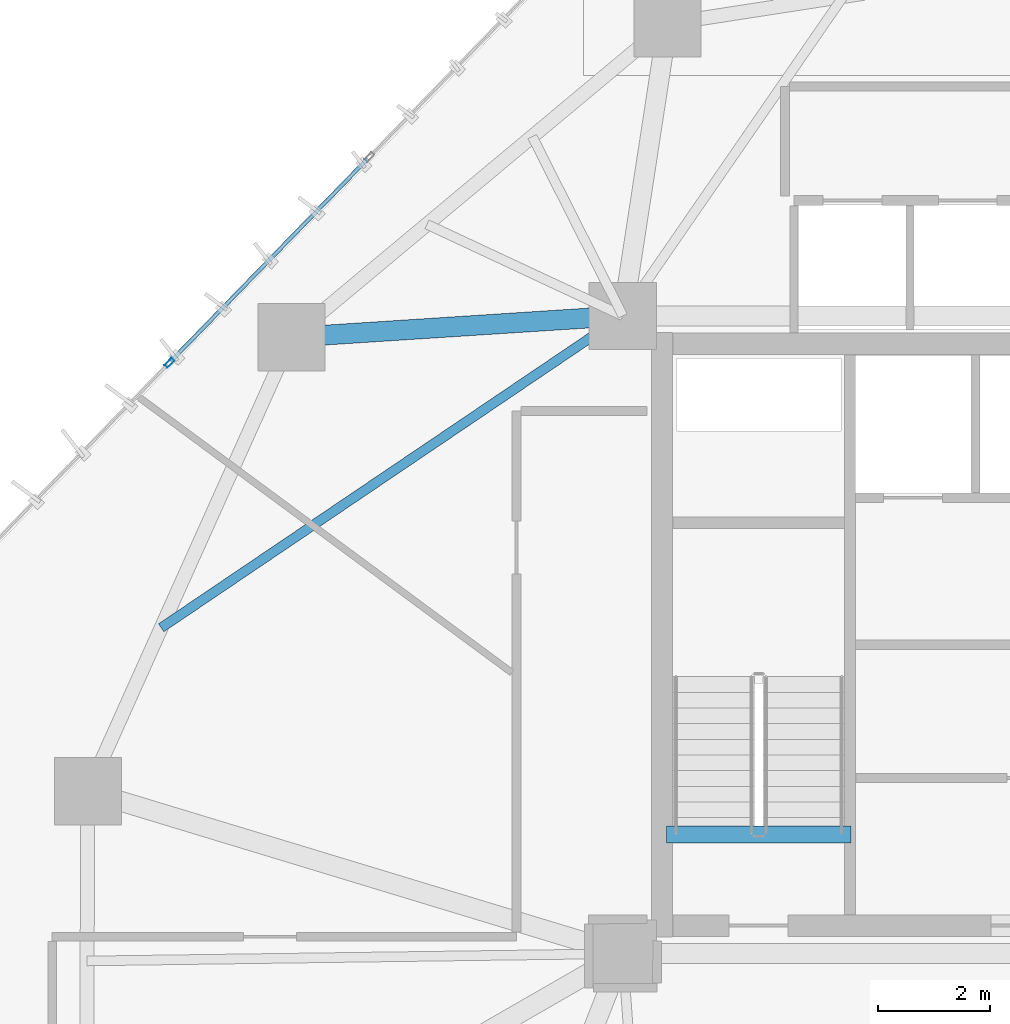
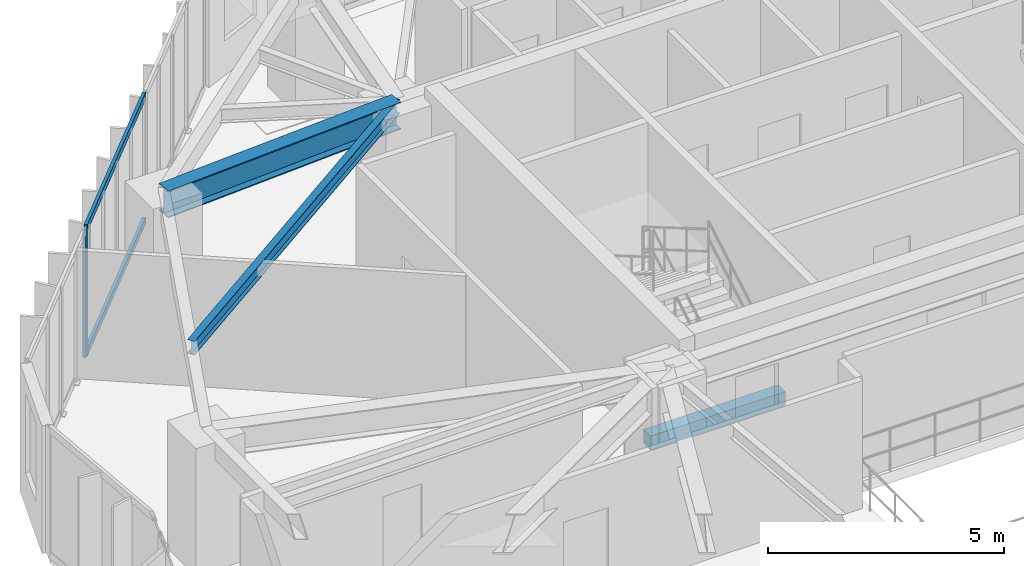
# One storey, part 9 of 23: 3 beams, 3 members, 1 element without a shape of its own.
"""IFC4 building model written with IfcOpenShell, lengths in metres."""

from ifc_helpers import new_model, si_unit, direction, frame, origin, origin_2d, place, context, subcontext, project, spatial, rectangle, hollow_rectangle, i_section, extrude, source, transform, mapped, material, layer, layer_set, material_profile, profile_set, type_object, type_shapes, element, aggregate, save


model = new_model("IFC4")

# Units and contexts
model_context = context("Model", 3, precision=1e-05, world=origin(), true_north=direction((0.0, 1.0)))
body_context = subcontext(model_context, "Body", "Model", "MODEL_VIEW")
ifc_project = project(units=[si_unit("LENGTHUNIT", "METRE"), si_unit("AREAUNIT", "SQUARE_METRE"), si_unit("VOLUMEUNIT", "CUBIC_METRE"), si_unit("PLANEANGLEUNIT", "RADIAN"), si_unit("MASSUNIT", "GRAM", prefix="KILO")], contexts=[model_context])

# Site, building, storey
site_placement = place(None, origin())
site = spatial("IfcSite", under=ifc_project, at=site_placement, CompositionType="ELEMENT")
building_placement = place(site_placement, origin())
building = spatial("IfcBuilding", under=site, at=building_placement, Name="Talar Marvaseh", CompositionType="ELEMENT")
storey_placement = place(building_placement, frame((0.0, 0.0, 96.60009765625)))
storey = spatial("IfcBuildingStorey", under=building, at=storey_placement, Name="L24", CompositionType="ELEMENT", Elevation=96.60009765625)

# Beams
ifc_material_1 = material(Name="Concrete C40/50", Category="concrete")
ifc_material_profile_1 = material_profile(ifc_material_1, rectangle(XDim=0.300048828125, YDim=0.360107421875, at=origin_2d()), Name="RC300x360")
ifc_profile_set_1 = profile_set([ifc_material_profile_1], Name="Concrete C40/50")
beam_type_1 = type_object("IfcBeamType", Name="Concrete Stair Landing Trimmer Beam RC300x360", PredefinedType="SPANDREL", material=ifc_profile_set_1)
beam_1_placement = place(storey_placement, frame((22.780029296875, 27.6298828125, -0.18017578125), z_axis=(-1.0, 0.0, 0.0), x_axis=(0.0, -1.0, 0.0)))
element("IfcBeam", 1, at=beam_1_placement, inside=storey, type_object=beam_type_1, Name="L24 ST-1 Stair Nosing Trimmer Beam", PredefinedType="SPANDREL", context=body_context, shape_type="SweptSolid", body=[
    extrude(rectangle(XDim=0.300048828125, YDim=0.360107421875, at=origin_2d()), origin(), (0.0, 0.0, 1.0), 3.300048828125),
])
ifc_material_2 = material(Name="Steel S355", Category="steel")
ifc_material_profile_2 = material_profile(ifc_material_2, i_section(OverallWidth=0.35498046875, OverallDepth=0.695068359375, WebThickness=0.015380859375, FlangeThickness=0.02490234375, at=origin_2d()), Name="W690x217")
ifc_profile_set_2 = profile_set([ifc_material_profile_2], Name="Steel S355")
beam_type_2 = type_object("IfcBeamType", Name="Zone 2 Radial Floor Girder W690x217", PredefinedType="BEAM", material=ifc_profile_set_2)
beam_2_placement = place(storey_placement, frame((12.780029296875, 36.51708984375, 2.96240234375), z_axis=(0.997915745008, 0.064530348407, 0.0), x_axis=(-0.064530348407, 0.997915745008, 0.0)))
element("IfcBeam", 2, at=beam_2_placement, inside=storey, type_object=beam_type_2, Name="L24 Zone 2 Radial Floor Girder W690x217", PredefinedType="BEAM", context=body_context, shape_type="SweptSolid", body=[
    extrude(i_section(OverallWidth=0.35498046875, OverallDepth=0.695068359375, WebThickness=0.015380859375, FlangeThickness=0.02490234375, at=origin_2d()), origin(), (0.0, 0.0, 1.0), 5.932373046875),
])
ifc_material_profile_3 = material_profile(ifc_material_2, i_section(OverallWidth=0.172119140625, OverallDepth=0.35791015625, WebThickness=0.0078125, FlangeThickness=0.01318359375, at=origin_2d()), Name="W360x57")
ifc_profile_set_3 = profile_set([ifc_material_profile_3], Name="Steel S355")
beam_type_3 = type_object("IfcBeamType", Name="Zone 2 Secondary Floor Joist W360x57", PredefinedType="JOIST", material=ifc_profile_set_3)
beam_3_placement = place(storey_placement, frame((10.44921875, 31.323486328125, 3.130859375), z_axis=(0.828514577653, 0.55996749425, 0.0), x_axis=(-0.55996749425, 0.828514577653, 0.0)))
element("IfcBeam", 3, at=beam_3_placement, inside=storey, type_object=beam_type_3, Name="L24 Zone 2 Secondary Floor Joist W360x57", PredefinedType="JOIST", context=body_context, shape_type="SweptSolid", body=[
    extrude(i_section(OverallWidth=0.172119140625, OverallDepth=0.35791015625, WebThickness=0.0078125, FlangeThickness=0.01318359375, at=origin_2d()), origin(), (0.0, 0.0, 1.0), 9.95849609375),
])

# Curtain wall, members
ifc_material_3 = material(Name="Architectural Aluminium", Category="aluminium")
ifc_layer = layer(ifc_material_3, 0.199951171875)
ifc_layer_set = layer_set([ifc_layer], Name="Architectural Aluminium")
curtain_wall_type = type_object("IfcCurtainWallType", Name="Unitised Acoustic Library Curtain Wall Z2", PredefinedType="NOTDEFINED", material=ifc_layer_set)
curtain_wall_placement = place(storey_placement, origin())
curtain_wall = element("IfcCurtainWall", 4, at=curtain_wall_placement, inside=storey, type_object=curtain_wall_type, Name="L24 Unitised Acoustic Library Curtain Wall Z2", PredefinedType="NOTDEFINED")
ifc_material_profile_4 = material_profile(ifc_material_3, hollow_rectangle(XDim=0.074951171875, YDim=0.179931640625, WallThickness=0.0048828125, at=origin_2d()), Name="RHS180x75x5")
ifc_profile_set_4 = profile_set([ifc_material_profile_4], Name="Architectural Aluminium")
member_type_1 = type_object("IfcMemberType", Name="Unitised Curtain Wall Transom RHS180x75x5", PredefinedType="USERDEFINED", material=ifc_profile_set_4)
shared_shape_1 = source(origin(), body_context, "Body", "SweptSolid", [
    extrude(hollow_rectangle(XDim=0.074951171875, YDim=0.179931640625, WallThickness=0.0048828125, at=origin_2d()), origin(), (0.0, 0.0, 1.0), 5.054931640625),
])
type_shapes(member_type_1, [shared_shape_1])
member_1_placement = place(storey_placement, frame((10.62109375, 36.08544921875, 0.037353515625), z_axis=(0.696965277948, 0.717104874712, 0.0), x_axis=(-0.717104874712, 0.696965277948, 0.0)))
member_1 = element("IfcMember", 5, at=member_1_placement, type_object=member_type_1, Name="CW-Z2 transom 2.1", ObjectType="TRANSOM", PredefinedType="USERDEFINED", context=body_context, shape_type="MappedRepresentation", body=[
    mapped(shared_shape_1, transform((0.0, 0.0, 0.0), x_axis=(1.0, 0.0, 0.0), y_axis=(0.0, 1.0, 0.0), z_axis=(0.0, 0.0, 1.0), scale=1.0)),
])
member_2_placement = place(storey_placement, frame((10.62109375, 36.08544921875, 3.2724609375), z_axis=(0.696965277948, 0.717104874712, 0.0), x_axis=(-0.717104874712, 0.696965277948, 0.0)))
member_2 = element("IfcMember", 6, at=member_2_placement, type_object=member_type_1, Name="CW-Z2 transom 2.2", ObjectType="TRANSOM", PredefinedType="USERDEFINED", context=body_context, shape_type="MappedRepresentation", body=[
    mapped(shared_shape_1, transform((0.0, 0.0, 0.0), x_axis=(1.0, 0.0, 0.0), y_axis=(0.0, 1.0, 0.0), z_axis=(0.0, 0.0, 1.0), scale=1.0)),
])
ifc_material_profile_5 = material_profile(ifc_material_3, hollow_rectangle(XDim=0.074951171875, YDim=0.179931640625, WallThickness=0.0048828125, at=origin_2d()), Name="RHS180x75x5")
ifc_profile_set_5 = profile_set([ifc_material_profile_5], Name="Architectural Aluminium")
member_type_2 = type_object("IfcMemberType", Name="Unitised Curtain Wall Standard Mullion RHS180x75x5", PredefinedType="MULLION", material=ifc_profile_set_5)
shared_shape_2 = source(origin(), body_context, "Body", "SweptSolid", [
    extrude(hollow_rectangle(XDim=0.074951171875, YDim=0.179931640625, WallThickness=0.0048828125, at=origin_2d()), origin(), (0.0, 0.0, 1.0), 3.309814453125),
])
type_shapes(member_type_2, [shared_shape_2])
member_3_placement = place(storey_placement, frame((10.594970703125, 36.05859375, 0.0), z_axis=(0.0, 0.0, 1.0), x_axis=(-0.717125619445, 0.696943933137, 0.0)))
member_3 = element("IfcMember", 7, at=member_3_placement, type_object=member_type_2, Name="CW-Z2 mullion 2", PredefinedType="MULLION", context=body_context, shape_type="MappedRepresentation", body=[
    mapped(shared_shape_2, transform((0.0, 0.0, 0.0), x_axis=(1.0, 0.0, 0.0), y_axis=(0.0, 1.0, 0.0), z_axis=(0.0, 0.0, 1.0), scale=1.0)),
])
aggregate(curtain_wall, [member_3, member_1, member_2])

save(model, "model.ifc")
